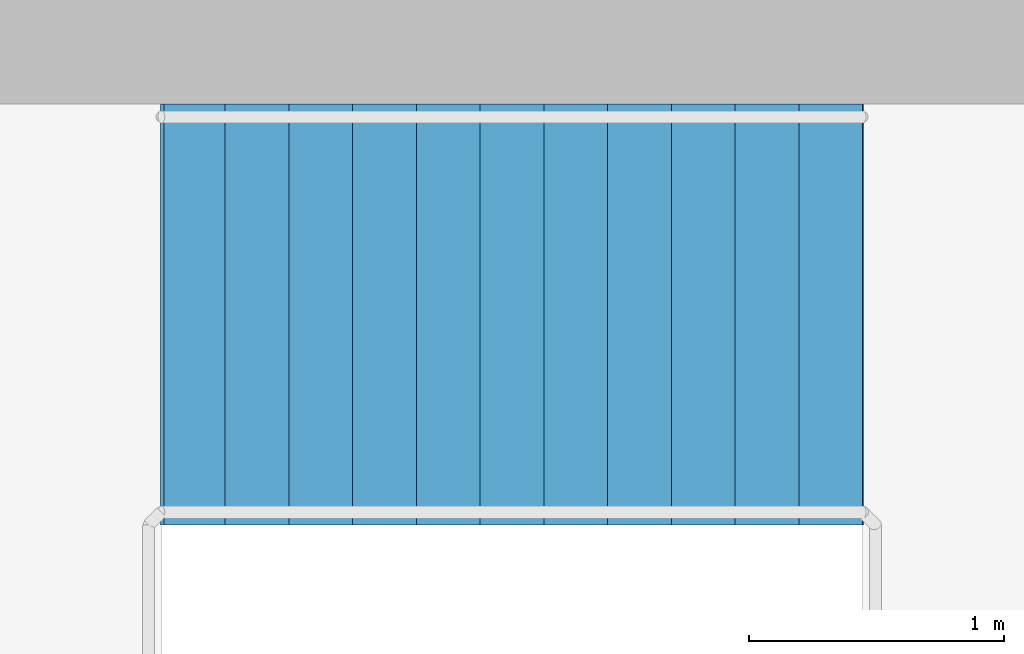
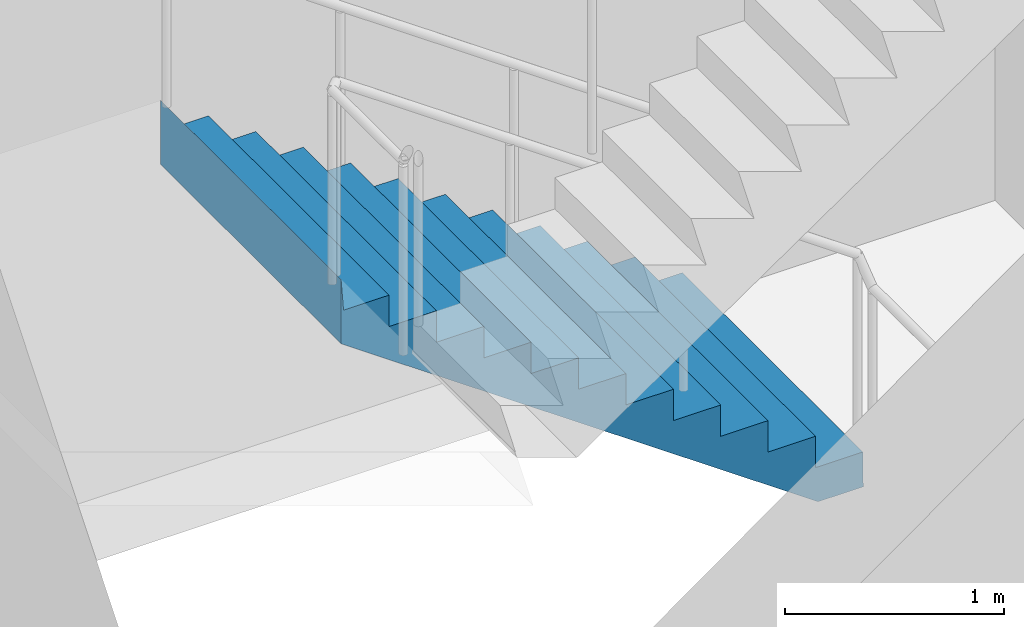
# One storey, part 20 of 21: 1 stair flight, 1 element without a shape of its own.
"""IFC4 building model written with IfcOpenShell, lengths in metres."""

from ifc_helpers import new_model, si_unit, direction, frame, origin, place, context, subcontext, project, spatial, triangles, material, type_object, element, aggregate, save


model = new_model("IFC4")

# Units and contexts
model_context = context("Model", 3, precision=1e-05, world=origin(), true_north=direction((0.0, 1.0)))
body_context = subcontext(model_context, "Body", "Model", "MODEL_VIEW")
ifc_project = project(units=[si_unit("LENGTHUNIT", "METRE"), si_unit("AREAUNIT", "SQUARE_METRE"), si_unit("VOLUMEUNIT", "CUBIC_METRE"), si_unit("PLANEANGLEUNIT", "RADIAN"), si_unit("MASSUNIT", "GRAM", prefix="KILO")], contexts=[model_context])

# Site, building, storey
site_placement = place(None, origin())
site = spatial("IfcSite", under=ifc_project, at=site_placement, CompositionType="ELEMENT")
building_placement = place(site_placement, origin())
building = spatial("IfcBuilding", under=site, at=building_placement, Name="Maasbend Ring Residences", CompositionType="ELEMENT")
storey_placement = place(building_placement, frame((0.0, 0.0, 157.39990234375)))
storey = spatial("IfcBuildingStorey", under=building, at=storey_placement, Name="L45", CompositionType="ELEMENT", Elevation=157.39990234375)

# Stair, stair flight
ifc_material_1 = material(Name="Concrete C40/50", Category="concrete")
stair_type = type_object("IfcStairType", Name="CORE STAIR 24 RISERS", PredefinedType="HALF_TURN_STAIR", material=ifc_material_1)
stair_placement = place(storey_placement, origin())
stair = element("IfcStair", 1, at=stair_placement, inside=storey, type_object=stair_type, Name="L45 Exit stair ST-E1", PredefinedType="HALF_TURN_STAIR")
ifc_material_2 = material(Name="Concrete C40/50", Category="concrete")
stair_flight_type = type_object("IfcStairFlightType", Name="CORE STAIR FLIGHT 1650", PredefinedType="STRAIGHT", material=ifc_material_2)
stair_flight_placement = place(storey_placement, frame((13.550048828125, 7.77490234375, 0.0), z_axis=(0.0, 0.0, 1.0), x_axis=(-1.0, 0.0, 0.0)))
stair_flight = element("IfcStairFlight", 2, at=stair_flight_placement, type_object=stair_flight_type, Name="ST-E1 flight 1", NumberOfRisers=12, NumberOfTreads=11, PredefinedType="STRAIGHT", RiserHeight=0.175, TreadLength=0.25, context=body_context, shape_type="Tessellation", body=[
    triangles([(0.23583984375, 0.824951171875, -0.02001953125), (2.7529296875, 0.824951171875, 1.741943359375), (2.7529296875, 0.824951171875, 2.10009765625), (2.739990234375, 0.824951171875, 1.925048828125), (2.5, 0.824951171875, 1.925048828125), (2.5, 0.824951171875, 1.75), (2.25, 0.824951171875, 1.75), (2.25, 0.824951171875, 1.574951171875), (2.0, 0.824951171875, 1.574951171875), (2.0, 0.824951171875, 1.39990234375), (1.75, 0.824951171875, 1.39990234375), (1.75, 0.824951171875, 1.22509765625), (1.5, 0.824951171875, 1.22509765625), (1.5, 0.824951171875, 1.050048828125), (1.25, 0.824951171875, 1.050048828125), (1.25, 0.824951171875, 0.875), (1.0, 0.824951171875, 0.875), (1.0, 0.824951171875, 0.699951171875), (0.75, 0.824951171875, 0.699951171875), (0.75, 0.824951171875, 0.52490234375), (0.5, 0.824951171875, 0.52490234375), (0.5, 0.824951171875, 0.35009765625), (0.25, 0.824951171875, 0.35009765625), (0.25, 0.824951171875, 0.175048828125), (0.0, 0.824951171875, 0.175048828125), (0.0, 0.824951171875, 0.0), (-0.0029296875, 0.824951171875, 0.0), (-0.0029296875, 0.824951171875, -0.02001953125), (0.23583984375, -0.824951171875, -0.02001953125), (2.7529296875, -0.824951171875, 1.741943359375), (2.7529296875, -0.824951171875, 2.10009765625), (2.739990234375, -0.824951171875, 1.925048828125), (2.5, -0.824951171875, 1.925048828125), (2.5, -0.824951171875, 1.75), (2.25, -0.824951171875, 1.75), (2.25, -0.824951171875, 1.574951171875), (2.0, -0.824951171875, 1.574951171875), (2.0, -0.824951171875, 1.39990234375), (1.75, -0.824951171875, 1.39990234375), (1.75, -0.824951171875, 1.22509765625), (1.5, -0.824951171875, 1.22509765625), (1.5, -0.824951171875, 1.050048828125), (1.25, -0.824951171875, 1.050048828125), (1.25, -0.824951171875, 0.875), (1.0, -0.824951171875, 0.875), (1.0, -0.824951171875, 0.699951171875), (0.75, -0.824951171875, 0.699951171875), (0.75, -0.824951171875, 0.52490234375), (0.5, -0.824951171875, 0.52490234375), (0.5, -0.824951171875, 0.35009765625), (0.25, -0.824951171875, 0.35009765625), (0.25, -0.824951171875, 0.175048828125), (0.0, -0.824951171875, 0.175048828125), (0.0, -0.824951171875, 0.0), (-0.0029296875, -0.824951171875, 0.0), (-0.0029296875, -0.824951171875, -0.02001953125)], [[1, 2, 30], [1, 30, 29], [2, 3, 31], [2, 31, 30], [3, 4, 32], [3, 32, 31], [4, 5, 33], [4, 33, 32], [5, 6, 34], [5, 34, 33], [6, 7, 35], [6, 35, 34], [7, 8, 36], [7, 36, 35], [8, 9, 37], [8, 37, 36], [9, 10, 38], [9, 38, 37], [10, 11, 39], [10, 39, 38], [11, 12, 40], [11, 40, 39], [12, 13, 41], [12, 41, 40], [13, 14, 42], [13, 42, 41], [14, 15, 43], [14, 43, 42], [15, 16, 44], [15, 44, 43], [16, 17, 45], [16, 45, 44], [17, 18, 46], [17, 46, 45], [18, 19, 47], [18, 47, 46], [19, 20, 48], [19, 48, 47], [20, 21, 49], [20, 49, 48], [21, 22, 50], [21, 50, 49], [22, 23, 51], [22, 51, 50], [23, 24, 52], [23, 52, 51], [24, 25, 53], [24, 53, 52], [25, 26, 54], [25, 54, 53], [26, 27, 55], [26, 55, 54], [27, 28, 56], [27, 56, 55], [28, 1, 29], [28, 29, 56], [28, 2, 1], [2, 4, 3], [2, 5, 4], [2, 6, 5], [28, 6, 2], [6, 8, 7], [28, 8, 6], [8, 10, 9], [28, 10, 8], [10, 12, 11], [28, 12, 10], [12, 14, 13], [28, 14, 12], [14, 16, 15], [28, 16, 14], [16, 18, 17], [28, 18, 16], [18, 20, 19], [28, 20, 18], [20, 22, 21], [28, 22, 20], [22, 24, 23], [28, 24, 22], [24, 26, 25], [28, 26, 24], [26, 28, 27], [56, 29, 30], [30, 31, 32], [30, 32, 33], [30, 33, 34], [56, 30, 34], [34, 35, 36], [56, 34, 36], [36, 37, 38], [56, 36, 38], [38, 39, 40], [56, 38, 40], [40, 41, 42], [56, 40, 42], [42, 43, 44], [56, 42, 44], [44, 45, 46], [56, 44, 46], [46, 47, 48], [56, 46, 48], [48, 49, 50], [56, 48, 50], [50, 51, 52], [56, 50, 52], [52, 53, 54], [56, 52, 54], [54, 55, 56]], closed=True),
])
aggregate(stair, [stair_flight])

save(model, "model.ifc")
